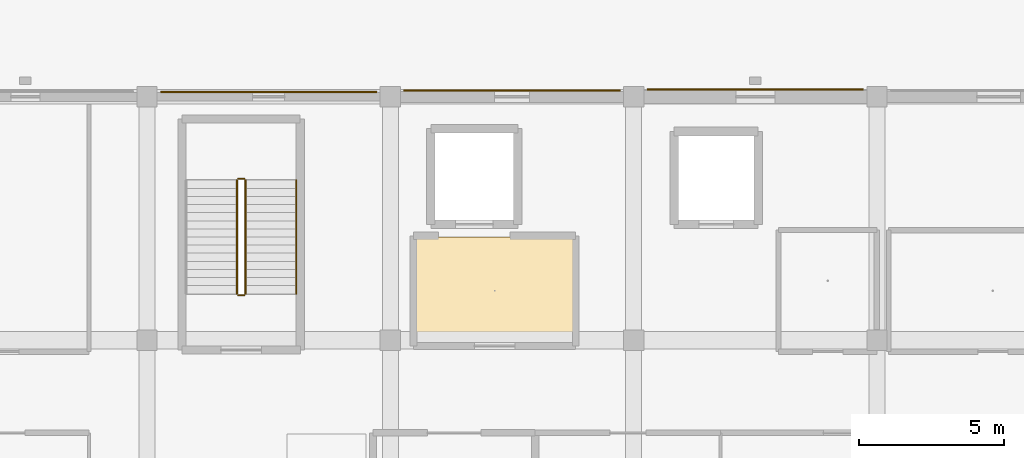
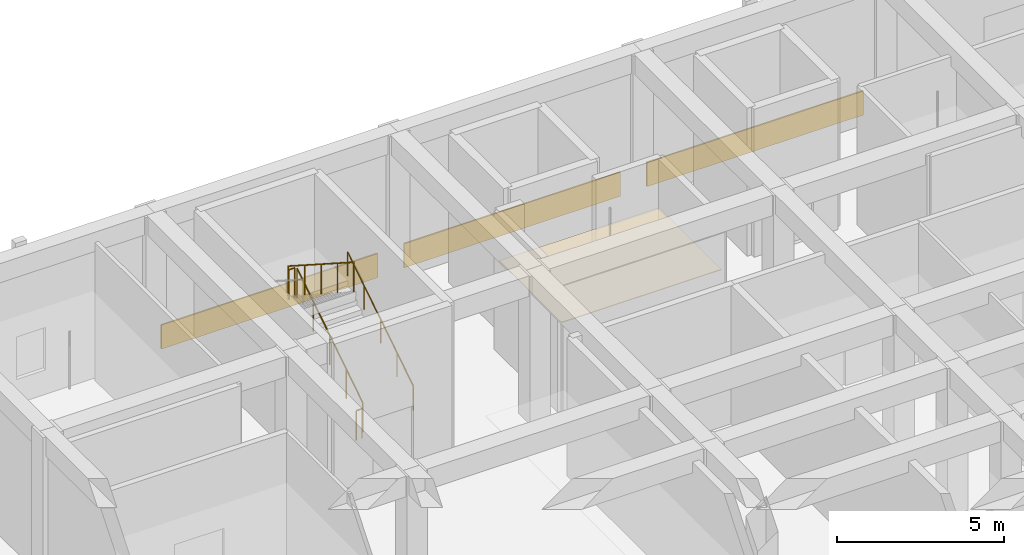
# One storey, part 150 of 167: 5 railings, 4 coverings.
"""IFC4 building model written with IfcOpenShell, lengths in metres."""

from ifc_helpers import new_model, si_unit, direction, frame, origin, origin_2d, place, context, subcontext, project, spatial, polyline, rectangle, circle, outline, extrude, material, layer, layer_set, type_object, element, save


model = new_model("IFC4")

# Units and contexts
model_context = context("Model", 3, precision=1e-05, world=origin(), true_north=direction((0.0, 1.0)))
body_context = subcontext(model_context, "Body", "Model", "MODEL_VIEW")
ifc_project = project(units=[si_unit("LENGTHUNIT", "METRE"), si_unit("AREAUNIT", "SQUARE_METRE"), si_unit("VOLUMEUNIT", "CUBIC_METRE"), si_unit("PLANEANGLEUNIT", "RADIAN"), si_unit("MASSUNIT", "GRAM", prefix="KILO")], contexts=[model_context])

# Site, building, storey
site_placement = place(None, origin())
site = spatial("IfcSite", under=ifc_project, at=site_placement, CompositionType="ELEMENT")
building_placement = place(site_placement, origin())
building = spatial("IfcBuilding", under=site, at=building_placement, Name="Varncliffe General Hospital", CompositionType="ELEMENT")
storey_placement = place(building_placement, origin())
storey = spatial("IfcBuildingStorey", under=building, at=storey_placement, Name="L00", CompositionType="ELEMENT", Elevation=0.0)

# Coverings
ifc_material_1 = material(Name="Hygienic antimicrobial acoustic suspended ceiling tile", Category="gypsum")
ifc_layer_1 = layer(ifc_material_1, 0.02490234375)
ifc_layer_set_1 = layer_set([ifc_layer_1], Name="Hygienic antimicrobial acoustic suspended ceiling tile")
covering_type_1 = type_object("IfcCoveringType", Name="Antimicrobial Acoustic Suspended Ceiling CLG44", PredefinedType="CEILING", material=ifc_layer_set_1)
covering_placement = place(storey_placement, frame((0.0, 0.0, 3.175048828125)))
element("IfcCovering", 1, at=covering_placement, inside=storey, type_object=covering_type_1, Name="L00 Firefighting Lift Lobby LF01 Suspended Ceiling", PredefinedType="CEILING", context=body_context, shape_type="SweptSolid", body=[
    extrude(outline(polyline([(23.159912109375, 116.239990234375), (23.159912109375, 119.9599609375), (17.639892578125, 119.9599609375), (17.639892578125, 116.239990234375), (23.159912109375, 116.239990234375)])), origin(), (0.0, 0.0, 1.0), 0.02490234375),
])
ifc_material_2 = material(Name="Credit Valley buff limestone ashlar cladding", Category="masonry")
ifc_layer_2 = layer(ifc_material_2, 0.050048828125)
ifc_layer_set_2 = layer_set([ifc_layer_2], Name="Credit Valley buff limestone ashlar cladding")
covering_type_2 = type_object("IfcCoveringType", Name="Credit Valley Limestone Ashlar Plinth Cladding CLD17", PredefinedType="CLADDING", material=ifc_layer_set_2)
for number, where, z_axis, x_axis, name in (
    (2, (12.60009765625, 124.969970703125, 0.010009765625), (0.0, 0.0, 1.0), (1.0, 0.0, 0.0), "L00 Limestone Base Cladding 8"),
    (3, (21.0, 125.014892578125, 0.010009765625), (0.0, 0.0, 1.0), (1.0, 0.0, 0.0), "L00 Limestone Base Cladding 9"),
    (4, (29.39990234375, 125.050048828125, 0.010009765625), (0.0, 0.0, 1.0), (1.0, 0.0, 0.0), "L00 Limestone Base Cladding 10"),
):
    element("IfcCovering", number, at=place(storey_placement, frame(where, z_axis=z_axis, x_axis=x_axis)), inside=storey, type_object=covering_type_2, Name=name, PredefinedType="CLADDING", context=body_context, shape_type="SweptSolid", body=[
        extrude(rectangle(XDim=7.464111328125, YDim=0.050048828125, at=origin_2d()), origin(), (0.0, 0.0, 1.0), 0.8798828125),
    ])

# Railings
ifc_material_3 = material(Name="Powder-coated hospital steel guardrail and handrail", Category="steel")
railing_type_1 = type_object("IfcRailingType", Name="Stair and Ramp Handrail HR46", PredefinedType="HANDRAIL", material=ifc_material_3)
railing_1_placement = place(storey_placement, frame((13.550048828125, 118.0, 0.364013671875)))
element("IfcRailing", 5, at=railing_1_placement, inside=storey, type_object=railing_type_1, Name="L00 ST01 stair handrail 1", PredefinedType="HANDRAIL", context=body_context, shape_type="SweptSolid", body=[
    extrude(circle(Radius=0.02392578125, at=origin_2d()), frame((0.0, 0.0, 0.8759765625), z_axis=(0.0, 0.841171666519, 0.540768182723), x_axis=(-1.0, 0.0, 0.0)), (0.0, 0.0, 1.0), 4.66015625),
    extrude(circle(Radius=0.02099609375, at=origin_2d()), origin(), (0.0, 0.0, 1.0), 0.851806640625),
    extrude(circle(Radius=0.02099609375, at=origin_2d()), frame((0.0, 0.97998046875, 0.6298828125)), (0.0, 0.0, 1.0), 0.851806640625),
    extrude(circle(Radius=0.02099609375, at=origin_2d()), frame((0.0, 1.9599609375, 1.260009765625)), (0.0, 0.0, 1.0), 0.851806640625),
    extrude(circle(Radius=0.02099609375, at=origin_2d()), frame((0.0, 2.93994140625, 1.89013671875)), (0.0, 0.0, 1.0), 0.851806640625),
    extrude(circle(Radius=0.02099609375, at=origin_2d()), frame((0.0, 3.919921875, 2.52001953125)), (0.0, 0.0, 1.0), 0.851806640625),
])
railing_type_2 = type_object("IfcRailingType", Name="Stairwell Guardrail SG49", PredefinedType="GUARDRAIL", material=ifc_material_3)
railing_2_placement = place(storey_placement, frame((11.800048828125, 118.0, 0.179931640625)))
element("IfcRailing", 6, at=railing_2_placement, inside=storey, type_object=railing_type_2, Name="L00 ST01 stair guard 1", PredefinedType="GUARDRAIL", context=body_context, shape_type="SweptSolid", body=[
    extrude(circle(Radius=0.02392578125, at=origin_2d()), frame((0.0, 0.0, 1.076171875), z_axis=(0.0, 0.841171666519, 0.540768182723), x_axis=(-1.0, 0.0, 0.0)), (0.0, 0.0, 1.0), 4.66015625),
    extrude(circle(Radius=0.02099609375, at=origin_2d()), origin(), (0.0, 0.0, 1.0), 1.052001953125),
    extrude(circle(Radius=0.02099609375, at=origin_2d()), frame((0.0, 0.97998046875, 0.6298828125)), (0.0, 0.0, 1.0), 1.052001953125),
    extrude(circle(Radius=0.02099609375, at=origin_2d()), frame((0.0, 1.9599609375, 1.260009765625)), (0.0, 0.0, 1.0), 1.052001953125),
    extrude(circle(Radius=0.02099609375, at=origin_2d()), frame((0.0, 2.93994140625, 1.89013671875)), (0.0, 0.0, 1.0), 1.052001953125),
    extrude(circle(Radius=0.02099609375, at=origin_2d()), frame((0.0, 3.919921875, 2.52001953125)), (0.0, 0.0, 1.0), 1.052001953125),
])
railing_3_placement = place(storey_placement, frame((11.75, 121.969970703125, 2.699951171875)))
element("IfcRailing", 7, at=railing_3_placement, inside=storey, type_object=railing_type_2, Name="L00 ST01 stair guard 2", PredefinedType="GUARDRAIL", context=body_context, shape_type="SweptSolid", body=[
    extrude(circle(Radius=0.02392578125, at=origin_2d()), frame((0.0, 0.0, 1.076171875), z_axis=(-1.0, 0.0, 0.0), x_axis=(0.0, -1.0, 0.0)), (0.0, 0.0, 1.0), 0.199951171875),
    extrude(circle(Radius=0.02099609375, at=origin_2d()), origin(), (0.0, 0.0, 1.0), 1.052001953125),
    extrude(circle(Radius=0.02099609375, at=origin_2d()), frame((-0.199951171875, 0.0, 0.0)), (0.0, 0.0, 1.0), 1.052001953125),
])
railing_4_placement = place(storey_placement, frame((11.5, 121.919921875, 2.8798828125)))
element("IfcRailing", 8, at=railing_4_placement, inside=storey, type_object=railing_type_2, Name="L00 ST01 stair guard 3", PredefinedType="GUARDRAIL", context=body_context, shape_type="SweptSolid", body=[
    extrude(circle(Radius=0.02392578125, at=origin_2d()), frame((0.0, 0.0, 1.076171875), z_axis=(0.0, -0.841171666519, 0.540768182723), x_axis=(1.0, 0.0, 0.0)), (0.0, 0.0, 1.0), 4.66015625),
    extrude(circle(Radius=0.02099609375, at=origin_2d()), origin(), (0.0, 0.0, 1.0), 1.052001953125),
    extrude(circle(Radius=0.02099609375, at=origin_2d()), frame((0.0, -0.97998046875, 0.6298828125)), (0.0, 0.0, 1.0), 1.052001953125),
    extrude(circle(Radius=0.02099609375, at=origin_2d()), frame((0.0, -1.9599609375, 1.260009765625)), (0.0, 0.0, 1.0), 1.052001953125),
    extrude(circle(Radius=0.02099609375, at=origin_2d()), frame((0.0, -2.93994140625, 1.89013671875)), (0.0, 0.0, 1.0), 1.052001953125),
    extrude(circle(Radius=0.02099609375, at=origin_2d()), frame((0.0, -3.919921875, 2.52001953125)), (0.0, 0.0, 1.0), 1.052001953125),
])
railing_5_placement = place(storey_placement, frame((11.75, 117.949951171875, 0.0)))
element("IfcRailing", 9, at=railing_5_placement, inside=storey, type_object=railing_type_2, Name="L00 ST01 stair guard 4", PredefinedType="GUARDRAIL", context=body_context, shape_type="SweptSolid", body=[
    extrude(circle(Radius=0.02392578125, at=origin_2d()), frame((0.0, 0.0, 1.076171875), z_axis=(-1.0, 0.0, 0.0), x_axis=(0.0, -1.0, 0.0)), (0.0, 0.0, 1.0), 0.199951171875),
    extrude(circle(Radius=0.02099609375, at=origin_2d()), origin(), (0.0, 0.0, 1.0), 1.052001953125),
    extrude(circle(Radius=0.02099609375, at=origin_2d()), frame((-0.199951171875, 0.0, 0.0)), (0.0, 0.0, 1.0), 1.052001953125),
])

save(model, "model.ifc")
